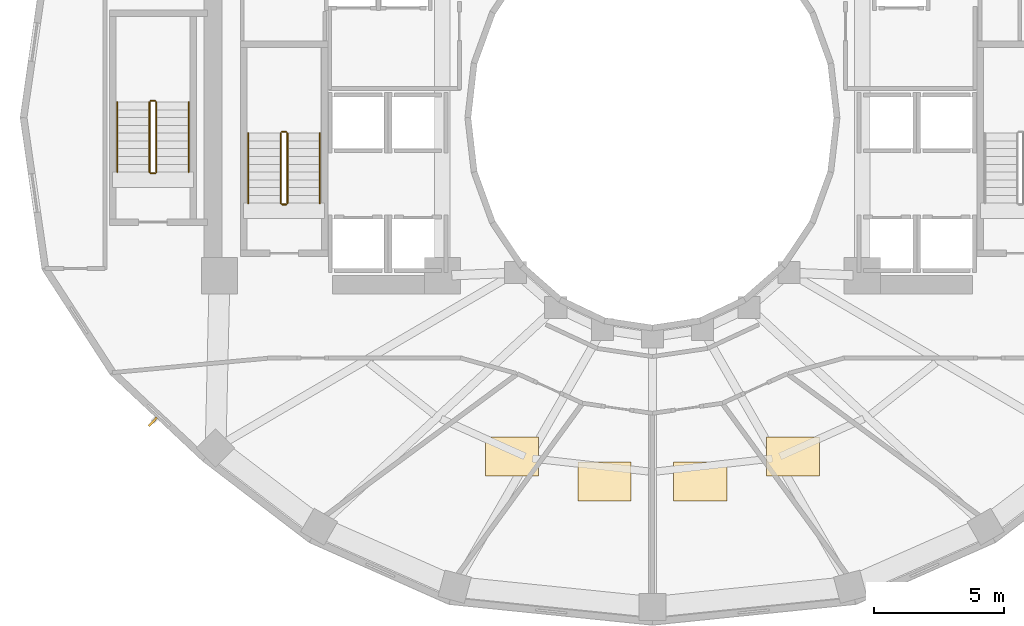
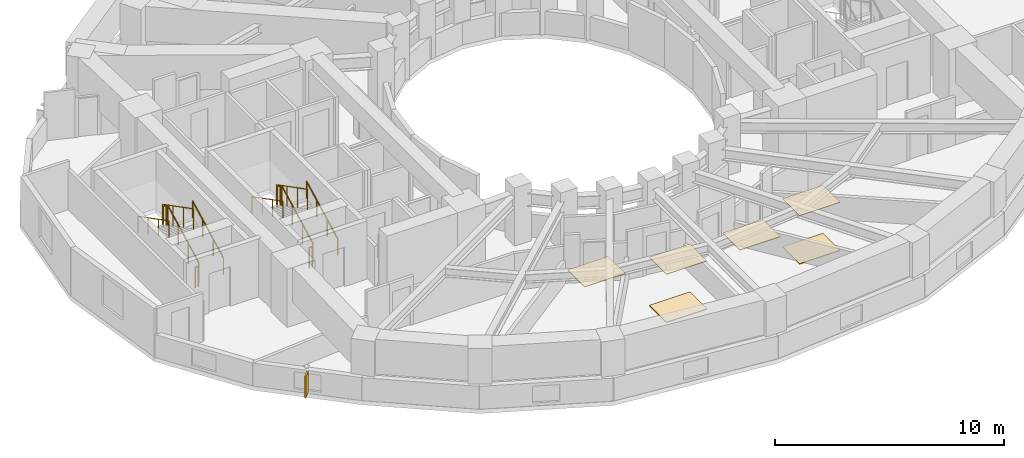
# One storey, part 8 of 10: 12 railings, 6 coverings, 1 shading device.
"""IFC4 building model written with IfcOpenShell, lengths in metres."""

from ifc_helpers import new_model, si_unit, direction, frame, origin, origin_2d, place, context, subcontext, project, spatial, polyline, rectangle, circle, outline, extrude, material, layer, layer_set, type_object, element, save


model = new_model("IFC4")

# Units and contexts
model_context = context("Model", 3, precision=1e-05, world=origin(), true_north=direction((0.0, 1.0)))
body_context = subcontext(model_context, "Body", "Model", "MODEL_VIEW")
ifc_project = project(units=[si_unit("LENGTHUNIT", "METRE"), si_unit("AREAUNIT", "SQUARE_METRE"), si_unit("VOLUMEUNIT", "CUBIC_METRE"), si_unit("PLANEANGLEUNIT", "RADIAN"), si_unit("MASSUNIT", "GRAM", prefix="KILO")], contexts=[model_context])

# Site, building, storey
site_placement = place(None, origin())
site = spatial("IfcSite", under=ifc_project, at=site_placement, CompositionType="ELEMENT")
building_placement = place(site_placement, origin())
building = spatial("IfcBuilding", under=site, at=building_placement, Name="Solvane Sanctuary Tower", CompositionType="ELEMENT")
storey_placement = place(building_placement, frame((0.0, 0.0, 101.10009765625)))
storey = spatial("IfcBuildingStorey", under=building, at=storey_placement, Name="L30", CompositionType="ELEMENT", Elevation=101.10009765625)

# Coverings
ifc_material_1 = material(Name="Acoustic Gypsum Partition Board")
ifc_layer_1 = layer(ifc_material_1, 0.02490234375, Name="Acoustic Gypsum Partition Board")
ifc_layer_set_1 = layer_set([ifc_layer_1], Name="Acoustic Gypsum Partition Board")
covering_type_1 = type_object("IfcCoveringType", Name="Covering CLG-ACOUST", PredefinedType="CEILING", material=ifc_layer_set_1)
covering_1_placement = place(storey_placement, frame((0.0, 0.0, 2.56982421875)))
element("IfcCovering", 1, at=covering_1_placement, inside=storey, type_object=covering_type_1, Name="L30 Unit Acoustic Ceiling Panel 5", PredefinedType="CEILING", context=body_context, shape_type="SweptSolid", body=[
    extrude(outline(polyline([(25.555908203125, 9.16796875), (27.60595703125, 9.16796875), (27.60595703125, 10.66796875), (25.555908203125, 10.66796875), (25.555908203125, 9.16796875)])), origin(), (0.0, 0.0, 1.0), 0.030029296875),
])
covering_2_placement = place(storey_placement, frame((0.0, 0.0, 2.56982421875)))
element("IfcCovering", 2, at=covering_2_placement, inside=storey, type_object=covering_type_1, Name="L30 Unit Acoustic Ceiling Panel 6", PredefinedType="CEILING", context=body_context, shape_type="SweptSolid", body=[
    extrude(outline(polyline([(29.126953125, 8.2109375), (31.177001953125, 8.2109375), (31.177001953125, 9.7109375), (29.126953125, 9.7109375), (29.126953125, 8.2109375)])), origin(), (0.0, 0.0, 1.0), 0.030029296875),
])
covering_3_placement = place(storey_placement, frame((0.0, 0.0, 2.56982421875)))
element("IfcCovering", 3, at=covering_3_placement, inside=storey, type_object=covering_type_1, Name="L30 Unit Acoustic Ceiling Panel 7", PredefinedType="CEILING", context=body_context, shape_type="SweptSolid", body=[
    extrude(outline(polyline([(32.822998046875, 8.2109375), (34.873046875, 8.2109375), (34.873046875, 9.7109375), (32.822998046875, 9.7109375), (32.822998046875, 8.2109375)])), origin(), (0.0, 0.0, 1.0), 0.030029296875),
])
covering_4_placement = place(storey_placement, frame((0.0, 0.0, 2.56982421875)))
element("IfcCovering", 4, at=covering_4_placement, inside=storey, type_object=covering_type_1, Name="L30 Unit Acoustic Ceiling Panel 8", PredefinedType="CEILING", context=body_context, shape_type="SweptSolid", body=[
    extrude(outline(polyline([(36.39404296875, 9.16796875), (38.444091796875, 9.16796875), (38.444091796875, 10.66796875), (36.39404296875, 10.66796875), (36.39404296875, 9.16796875)])), origin(), (0.0, 0.0, 1.0), 0.030029296875),
])
ifc_material_2 = material(Name="Ceramic Tile Finish")
ifc_layer_2 = layer(ifc_material_2, 0.030029296875, Name="Ceramic Tile Finish")
ifc_layer_set_2 = layer_set([ifc_layer_2], Name="Ceramic Tile Finish")
covering_type_2 = type_object("IfcCoveringType", Name="Covering FLR-TERRAZZO", PredefinedType="FLOORING", material=ifc_layer_set_2)
covering_5_placement = place(storey_placement, origin())
element("IfcCovering", 5, at=covering_5_placement, inside=storey, type_object=covering_type_2, Name="L30 Unit Terrazzo Inlay 6", PredefinedType="FLOORING", context=body_context, shape_type="SweptSolid", body=[
    extrude(outline(polyline([(29.126953125, 8.2109375), (31.177001953125, 8.2109375), (31.177001953125, 9.7109375), (29.126953125, 9.7109375), (29.126953125, 8.2109375)])), origin(), (0.0, 0.0, 1.0), 0.034912109375),
])
covering_6_placement = place(storey_placement, origin())
element("IfcCovering", 6, at=covering_6_placement, inside=storey, type_object=covering_type_2, Name="L30 Unit Terrazzo Inlay 8", PredefinedType="FLOORING", context=body_context, shape_type="SweptSolid", body=[
    extrude(outline(polyline([(36.39404296875, 9.16796875), (38.444091796875, 9.16796875), (38.444091796875, 10.66796875), (36.39404296875, 10.66796875), (36.39404296875, 9.16796875)])), origin(), (0.0, 0.0, 1.0), 0.034912109375),
])

# Railings
ifc_material_3 = material(Name="Architectural Stainless Steel 316", Category="steel")
railing_type_1 = type_object("IfcRailingType", Name="Railing GR-BALC-1150", PredefinedType="BALUSTRADE", material=ifc_material_3)
railing_1_placement = place(storey_placement, frame((17.919921875, 19.699951171875, 0.15478515625)))
element("IfcRailing", 7, at=railing_1_placement, inside=storey, type_object=railing_type_1, Name="L30 ST-1 stair guard 1", PredefinedType="BALUSTRADE", context=body_context, shape_type="SweptSolid", body=[
    extrude(circle(Radius=0.02392578125, at=origin_2d()), frame((0.0, 0.0, 1.076171875), z_axis=(0.0, 0.888419900624, 0.459031676658), x_axis=(-1.0, 0.0, 0.0)), (0.0, 0.0, 1.0), 3.0390625),
    extrude(circle(Radius=0.02099609375, at=origin_2d()), origin(), (0.0, 0.0, 1.0), 1.052001953125),
    extrude(circle(Radius=0.02099609375, at=origin_2d()), frame((0.0, 0.89990234375, 0.465087890625)), (0.0, 0.0, 1.0), 1.052001953125),
    extrude(circle(Radius=0.02099609375, at=origin_2d()), frame((0.0, 1.800048828125, 0.929931640625)), (0.0, 0.0, 1.0), 1.052001953125),
    extrude(circle(Radius=0.02099609375, at=origin_2d()), frame((0.0, 2.699951171875, 1.39501953125)), (0.0, 0.0, 1.0), 1.052001953125),
])
railing_2_placement = place(storey_placement, frame((17.8701171875, 22.449951171875, 1.5498046875)))
element("IfcRailing", 8, at=railing_2_placement, inside=storey, type_object=railing_type_1, Name="L30 ST-1 stair guard 2", PredefinedType="BALUSTRADE", context=body_context, shape_type="SweptSolid", body=[
    extrude(circle(Radius=0.02392578125, at=origin_2d()), frame((0.0, 0.0, 1.076171875), z_axis=(-1.0, 0.0, 0.0), x_axis=(0.0, -1.0, 0.0)), (0.0, 0.0, 1.0), 0.16015625),
    extrude(circle(Radius=0.02099609375, at=origin_2d()), origin(), (0.0, 0.0, 1.0), 1.052001953125),
    extrude(circle(Radius=0.02099609375, at=origin_2d()), frame((-0.16015625, 0.0, 0.0)), (0.0, 0.0, 1.0), 1.052001953125),
])
railing_3_placement = place(storey_placement, frame((17.659912109375, 22.39990234375, 1.704833984375)))
element("IfcRailing", 9, at=railing_3_placement, inside=storey, type_object=railing_type_1, Name="L30 ST-1 stair guard 3", PredefinedType="BALUSTRADE", context=body_context, shape_type="SweptSolid", body=[
    extrude(circle(Radius=0.02392578125, at=origin_2d()), frame((0.0, 0.0, 1.076171875), z_axis=(0.0, -0.888419900624, 0.459031676658), x_axis=(1.0, 0.0, 0.0)), (0.0, 0.0, 1.0), 3.0390625),
    extrude(circle(Radius=0.02099609375, at=origin_2d()), origin(), (0.0, 0.0, 1.0), 1.052001953125),
    extrude(circle(Radius=0.02099609375, at=origin_2d()), frame((0.0, -0.89990234375, 0.465087890625)), (0.0, 0.0, 1.0), 1.052001953125),
    extrude(circle(Radius=0.02099609375, at=origin_2d()), frame((0.0, -1.800048828125, 0.929931640625)), (0.0, 0.0, 1.0), 1.052001953125),
    extrude(circle(Radius=0.02099609375, at=origin_2d()), frame((0.0, -2.699951171875, 1.39501953125)), (0.0, 0.0, 1.0), 1.052001953125),
])
railing_4_placement = place(storey_placement, frame((17.8701171875, 19.64990234375, 0.0)))
element("IfcRailing", 10, at=railing_4_placement, inside=storey, type_object=railing_type_1, Name="L30 ST-1 stair guard 4", PredefinedType="BALUSTRADE", context=body_context, shape_type="SweptSolid", body=[
    extrude(circle(Radius=0.02392578125, at=origin_2d()), frame((0.0, 0.0, 1.076171875), z_axis=(-1.0, 0.0, 0.0), x_axis=(0.0, -1.0, 0.0)), (0.0, 0.0, 1.0), 0.16015625),
    extrude(circle(Radius=0.02099609375, at=origin_2d()), origin(), (0.0, 0.0, 1.0), 1.052001953125),
    extrude(circle(Radius=0.02099609375, at=origin_2d()), frame((-0.16015625, 0.0, 0.0)), (0.0, 0.0, 1.0), 1.052001953125),
])
railing_5_placement = place(storey_placement, frame((12.860107421875, 20.89990234375, 0.15478515625)))
element("IfcRailing", 11, at=railing_5_placement, inside=storey, type_object=railing_type_1, Name="L30 ST-3 stair guard 1", PredefinedType="BALUSTRADE", context=body_context, shape_type="SweptSolid", body=[
    extrude(circle(Radius=0.02392578125, at=origin_2d()), frame((0.0, 0.0, 1.076171875), z_axis=(0.0, 0.888436826113, 0.458998917216), x_axis=(-1.0, 0.0, 0.0)), (0.0, 0.0, 1.0), 3.039306640625),
    extrude(circle(Radius=0.02099609375, at=origin_2d()), origin(), (0.0, 0.0, 1.0), 1.052001953125),
    extrude(circle(Radius=0.02099609375, at=origin_2d()), frame((0.0, 0.900146484375, 0.465087890625)), (0.0, 0.0, 1.0), 1.052001953125),
    extrude(circle(Radius=0.02099609375, at=origin_2d()), frame((0.0, 1.800048828125, 0.929931640625)), (0.0, 0.0, 1.0), 1.052001953125),
    extrude(circle(Radius=0.02099609375, at=origin_2d()), frame((0.0, 2.7001953125, 1.39501953125)), (0.0, 0.0, 1.0), 1.052001953125),
])
railing_6_placement = place(storey_placement, frame((12.81005859375, 23.64990234375, 1.5498046875)))
element("IfcRailing", 12, at=railing_6_placement, inside=storey, type_object=railing_type_1, Name="L30 ST-3 stair guard 2", PredefinedType="BALUSTRADE", context=body_context, shape_type="SweptSolid", body=[
    extrude(circle(Radius=0.02392578125, at=origin_2d()), frame((0.0, 0.0, 1.076171875), z_axis=(-1.0, 0.0, 0.0), x_axis=(0.0, -1.0, 0.0)), (0.0, 0.0, 1.0), 0.16015625),
    extrude(circle(Radius=0.02099609375, at=origin_2d()), origin(), (0.0, 0.0, 1.0), 1.052001953125),
    extrude(circle(Radius=0.02099609375, at=origin_2d()), frame((-0.16015625, 0.0, 0.0)), (0.0, 0.0, 1.0), 1.052001953125),
])
railing_7_placement = place(storey_placement, frame((12.60009765625, 23.60009765625, 1.704833984375)))
element("IfcRailing", 13, at=railing_7_placement, inside=storey, type_object=railing_type_1, Name="L30 ST-3 stair guard 3", PredefinedType="BALUSTRADE", context=body_context, shape_type="SweptSolid", body=[
    extrude(circle(Radius=0.02392578125, at=origin_2d()), frame((0.0, 0.0, 1.076171875), z_axis=(0.0, -0.888436826113, 0.458998917216), x_axis=(1.0, 0.0, 0.0)), (0.0, 0.0, 1.0), 3.039306640625),
    extrude(circle(Radius=0.02099609375, at=origin_2d()), origin(), (0.0, 0.0, 1.0), 1.052001953125),
    extrude(circle(Radius=0.02099609375, at=origin_2d()), frame((0.0, -0.900146484375, 0.465087890625)), (0.0, 0.0, 1.0), 1.052001953125),
    extrude(circle(Radius=0.02099609375, at=origin_2d()), frame((0.0, -1.800048828125, 0.929931640625)), (0.0, 0.0, 1.0), 1.052001953125),
    extrude(circle(Radius=0.02099609375, at=origin_2d()), frame((0.0, -2.7001953125, 1.39501953125)), (0.0, 0.0, 1.0), 1.052001953125),
])
railing_8_placement = place(storey_placement, frame((12.81005859375, 20.85009765625, 0.0)))
element("IfcRailing", 14, at=railing_8_placement, inside=storey, type_object=railing_type_1, Name="L30 ST-3 stair guard 4", PredefinedType="BALUSTRADE", context=body_context, shape_type="SweptSolid", body=[
    extrude(circle(Radius=0.02392578125, at=origin_2d()), frame((0.0, 0.0, 1.076171875), z_axis=(-1.0, 0.0, 0.0), x_axis=(0.0, -1.0, 0.0)), (0.0, 0.0, 1.0), 0.16015625),
    extrude(circle(Radius=0.02099609375, at=origin_2d()), origin(), (0.0, 0.0, 1.0), 1.052001953125),
    extrude(circle(Radius=0.02099609375, at=origin_2d()), frame((-0.16015625, 0.0, 0.0)), (0.0, 0.0, 1.0), 1.052001953125),
])
railing_type_2 = type_object("IfcRailingType", Name="Railing HR-STAIR-920", PredefinedType="HANDRAIL", material=ifc_material_3)
railing_9_placement = place(storey_placement, frame((19.169921875, 19.699951171875, 0.15478515625)))
element("IfcRailing", 15, at=railing_9_placement, inside=storey, type_object=railing_type_2, Name="L30 ST-1 stair handrail 1", PredefinedType="HANDRAIL", context=body_context, shape_type="SweptSolid", body=[
    extrude(circle(Radius=0.02392578125, at=origin_2d()), frame((0.0, 0.0, 0.8759765625), z_axis=(0.0, 0.888419900624, 0.459031676658), x_axis=(-1.0, 0.0, 0.0)), (0.0, 0.0, 1.0), 3.0390625),
    extrude(circle(Radius=0.02099609375, at=origin_2d()), origin(), (0.0, 0.0, 1.0), 0.851806640625),
    extrude(circle(Radius=0.02099609375, at=origin_2d()), frame((0.0, 0.89990234375, 0.465087890625)), (0.0, 0.0, 1.0), 0.851806640625),
    extrude(circle(Radius=0.02099609375, at=origin_2d()), frame((0.0, 1.800048828125, 0.929931640625)), (0.0, 0.0, 1.0), 0.851806640625),
    extrude(circle(Radius=0.02099609375, at=origin_2d()), frame((0.0, 2.699951171875, 1.39501953125)), (0.0, 0.0, 1.0), 0.851806640625),
])
railing_10_placement = place(storey_placement, frame((16.409912109375, 22.39990234375, 1.704833984375)))
element("IfcRailing", 16, at=railing_10_placement, inside=storey, type_object=railing_type_2, Name="L30 ST-1 stair handrail 2", PredefinedType="HANDRAIL", context=body_context, shape_type="SweptSolid", body=[
    extrude(circle(Radius=0.02392578125, at=origin_2d()), frame((0.0, 0.0, 0.8759765625), z_axis=(0.0, -0.888419900624, 0.459031676658), x_axis=(1.0, 0.0, 0.0)), (0.0, 0.0, 1.0), 3.0390625),
    extrude(circle(Radius=0.02099609375, at=origin_2d()), origin(), (0.0, 0.0, 1.0), 0.851806640625),
    extrude(circle(Radius=0.02099609375, at=origin_2d()), frame((0.0, -0.89990234375, 0.465087890625)), (0.0, 0.0, 1.0), 0.851806640625),
    extrude(circle(Radius=0.02099609375, at=origin_2d()), frame((0.0, -1.800048828125, 0.929931640625)), (0.0, 0.0, 1.0), 0.851806640625),
    extrude(circle(Radius=0.02099609375, at=origin_2d()), frame((0.0, -2.699951171875, 1.39501953125)), (0.0, 0.0, 1.0), 0.851806640625),
])
railing_11_placement = place(storey_placement, frame((14.110107421875, 20.89990234375, 0.15478515625)))
element("IfcRailing", 17, at=railing_11_placement, inside=storey, type_object=railing_type_2, Name="L30 ST-3 stair handrail 1", PredefinedType="HANDRAIL", context=body_context, shape_type="SweptSolid", body=[
    extrude(circle(Radius=0.02392578125, at=origin_2d()), frame((0.0, 0.0, 0.8759765625), z_axis=(0.0, 0.888436826113, 0.458998917216), x_axis=(-1.0, 0.0, 0.0)), (0.0, 0.0, 1.0), 3.039306640625),
    extrude(circle(Radius=0.02099609375, at=origin_2d()), origin(), (0.0, 0.0, 1.0), 0.851806640625),
    extrude(circle(Radius=0.02099609375, at=origin_2d()), frame((0.0, 0.900146484375, 0.465087890625)), (0.0, 0.0, 1.0), 0.851806640625),
    extrude(circle(Radius=0.02099609375, at=origin_2d()), frame((0.0, 1.800048828125, 0.929931640625)), (0.0, 0.0, 1.0), 0.851806640625),
    extrude(circle(Radius=0.02099609375, at=origin_2d()), frame((0.0, 2.7001953125, 1.39501953125)), (0.0, 0.0, 1.0), 0.851806640625),
])
railing_12_placement = place(storey_placement, frame((11.35009765625, 23.60009765625, 1.704833984375)))
element("IfcRailing", 18, at=railing_12_placement, inside=storey, type_object=railing_type_2, Name="L30 ST-3 stair handrail 2", PredefinedType="HANDRAIL", context=body_context, shape_type="SweptSolid", body=[
    extrude(circle(Radius=0.02392578125, at=origin_2d()), frame((0.0, 0.0, 0.8759765625), z_axis=(0.0, -0.888436826113, 0.458998917216), x_axis=(1.0, 0.0, 0.0)), (0.0, 0.0, 1.0), 3.039306640625),
    extrude(circle(Radius=0.02099609375, at=origin_2d()), origin(), (0.0, 0.0, 1.0), 0.851806640625),
    extrude(circle(Radius=0.02099609375, at=origin_2d()), frame((0.0, -0.900146484375, 0.465087890625)), (0.0, 0.0, 1.0), 0.851806640625),
    extrude(circle(Radius=0.02099609375, at=origin_2d()), frame((0.0, -1.800048828125, 0.929931640625)), (0.0, 0.0, 1.0), 0.851806640625),
    extrude(circle(Radius=0.02099609375, at=origin_2d()), frame((0.0, -2.7001953125, 1.39501953125)), (0.0, 0.0, 1.0), 0.851806640625),
])

# Shading device
ifc_material_4 = material(Name="Anodised Aluminium 6063-T6", Category="aluminium")
ifc_layer_3 = layer(ifc_material_4, 0.080078125, Name="Anodised Aluminium 6063-T6")
ifc_layer_set_3 = layer_set([ifc_layer_3], Name="Anodised Aluminium 6063-T6")
shading_device_type = type_object("IfcShadingDeviceType", Name="Shading SHD-FIN", PredefinedType="USERDEFINED", material=ifc_layer_set_3)
shading_device_placement = place(storey_placement, frame((12.724609375, 11.26171875, 0.0498046875), z_axis=(0.0, 0.0, 1.0), x_axis=(0.730175394401, -0.683259755445, 0.0)))
element("IfcShadingDevice", 19, at=shading_device_placement, inside=storey, type_object=shading_device_type, Name="L30 Aerodynamic Vertical Fin 14", ObjectType="FIN", PredefinedType="USERDEFINED", context=body_context, shape_type="SweptSolid", body=[
    extrude(rectangle(XDim=0.080078125, YDim=0.449951171875, at=origin_2d()), origin(), (0.0, 0.0, 1.0), 1.1201171875),
])

save(model, "model.ifc")
